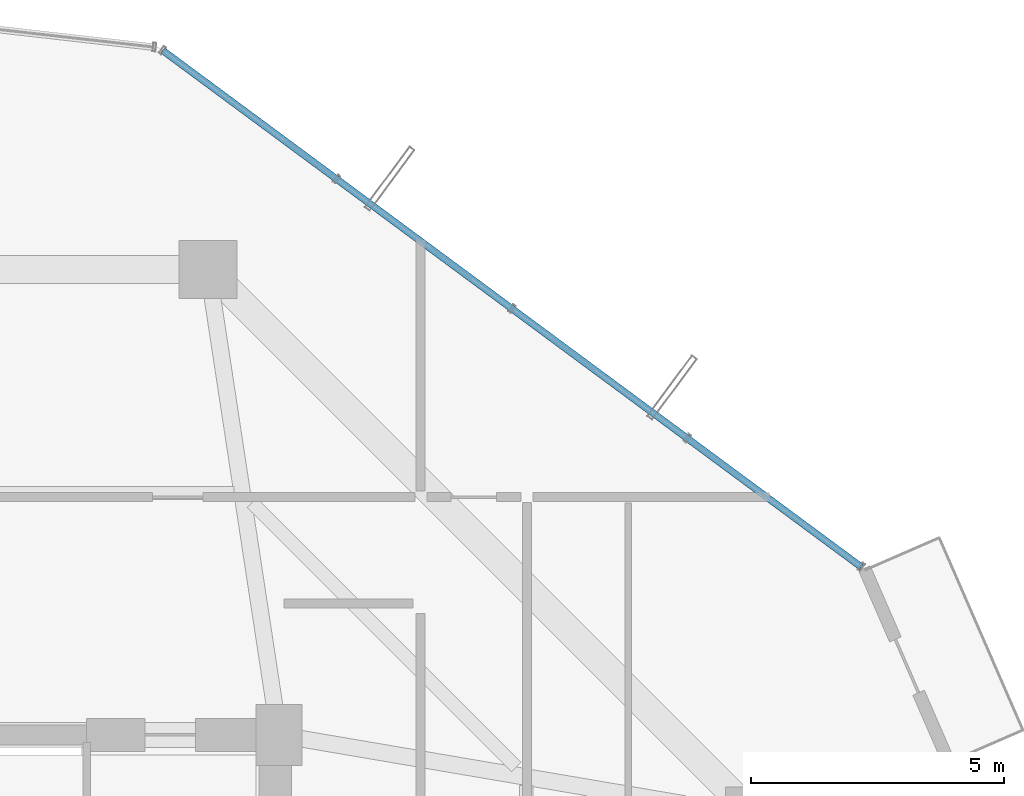
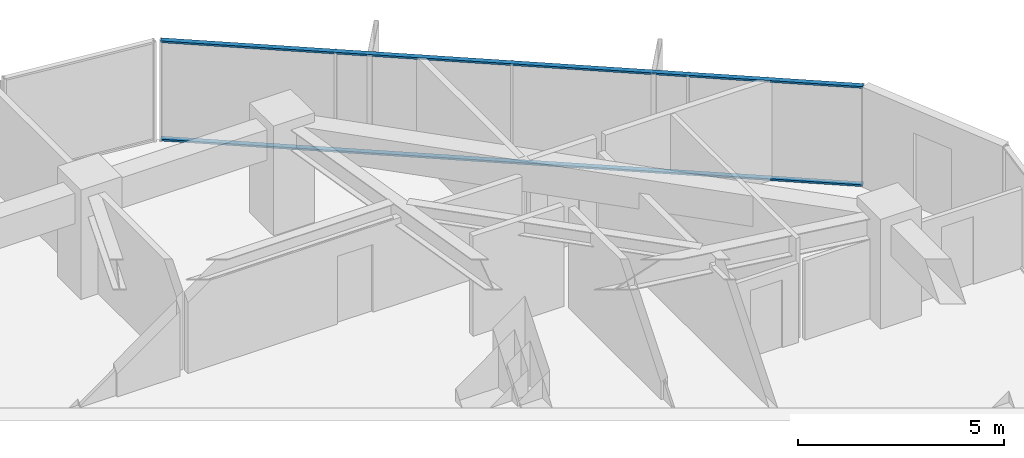
# One storey, part 21 of 29: 2 members, 1 element without a shape of its own.
"""IFC4 building model written with IfcOpenShell, lengths in metres."""

from ifc_helpers import new_model, si_unit, direction, frame, origin, origin_2d, place, context, subcontext, project, spatial, hollow_rectangle, extrude, source, transform, mapped, material, layer, layer_set, material_profile, profile_set, type_object, element, aggregate, save


model = new_model("IFC4")

# Units and contexts
model_context = context("Model", 3, precision=1e-05, world=origin(), true_north=direction((0.0, 1.0)))
body_context = subcontext(model_context, "Body", "Model", "MODEL_VIEW")
ifc_project = project(units=[si_unit("LENGTHUNIT", "METRE"), si_unit("AREAUNIT", "SQUARE_METRE"), si_unit("VOLUMEUNIT", "CUBIC_METRE"), si_unit("PLANEANGLEUNIT", "RADIAN"), si_unit("MASSUNIT", "GRAM", prefix="KILO")], contexts=[model_context])

# Site, building, storey
site_placement = place(None, origin())
site = spatial("IfcSite", under=ifc_project, at=site_placement, CompositionType="ELEMENT")
building_placement = place(site_placement, origin())
building = spatial("IfcBuilding", under=site, at=building_placement, Name="Veraguas Prism Commons", CompositionType="ELEMENT")
storey_placement = place(building_placement, frame((0.0, 0.0, 105.699951171875)))
storey = spatial("IfcBuildingStorey", under=building, at=storey_placement, Name="L29", CompositionType="ELEMENT", Elevation=105.699951171875)

# Curtain wall, members
ifc_material = material(Name="Anodised aluminium EN AW-6063 T6", Category="aluminium")
ifc_layer = layer(ifc_material, 0.169921875, Name="Unitised Flush Curtain Wall Zone 2", Category="aluminium")
ifc_layer_set = layer_set([ifc_layer], Name="Anodised aluminium EN AW-6063 T6")
curtain_wall_type = type_object("IfcCurtainWallType", Name="Unitised Flush Curtain Wall Zone 2", PredefinedType="NOTDEFINED", material=ifc_layer_set)
curtain_wall_placement = place(storey_placement, origin())
curtain_wall = element("IfcCurtainWall", 1, at=curtain_wall_placement, inside=storey, type_object=curtain_wall_type, Name="Tower Facade Curtain Wall L29-F1", PredefinedType="NOTDEFINED")
ifc_material_profile = material_profile(ifc_material, hollow_rectangle(XDim=0.054931640625, YDim=0.135009765625, WallThickness=0.0029296875, at=origin_2d()), Name="AL55X135X3")
ifc_profile_set = profile_set([ifc_material_profile], Name="Anodised aluminium EN AW-6063 T6")
member_type = type_object("IfcMemberType", Name="Curtain Wall Transom Standard AL 55x135x3", PredefinedType="USERDEFINED", material=ifc_profile_set)
shared_shape = source(origin(), body_context, "Body", "SweptSolid", [
    extrude(hollow_rectangle(XDim=0.054931640625, YDim=0.135009765625, WallThickness=0.0029296875, at=origin_2d()), origin(), (0.0, 0.0, 1.0), 17.174560546875),
])
member_1_placement = place(storey_placement, frame((42.3095703125, 34.318603515625, 0.027587890625), z_axis=(-0.804075388824, 0.594527349318, 0.0), x_axis=(0.0, 0.0, 1.0)))
member_1 = element("IfcMember", 2, at=member_1_placement, type_object=member_type, Name="CW-Z2 Transom 1", ObjectType="TRANSOM", PredefinedType="USERDEFINED", context=body_context, shape_type="MappedRepresentation", body=[
    mapped(shared_shape, transform((0.0, 0.0, 0.0), scale=1.0)),
])
member_2_placement = place(storey_placement, frame((42.3095703125, 34.318603515625, 2.942626953125), z_axis=(-0.804075388824, 0.594527349318, 0.0), x_axis=(0.0, 0.0, 1.0)))
member_2 = element("IfcMember", 3, at=member_2_placement, type_object=member_type, Name="CW-Z2 Transom 2", ObjectType="TRANSOM", PredefinedType="USERDEFINED", context=body_context, shape_type="MappedRepresentation", body=[
    mapped(shared_shape, transform((0.0, 0.0, 0.0), scale=1.0)),
])
aggregate(curtain_wall, [member_1, member_2])

save(model, "model.ifc")
